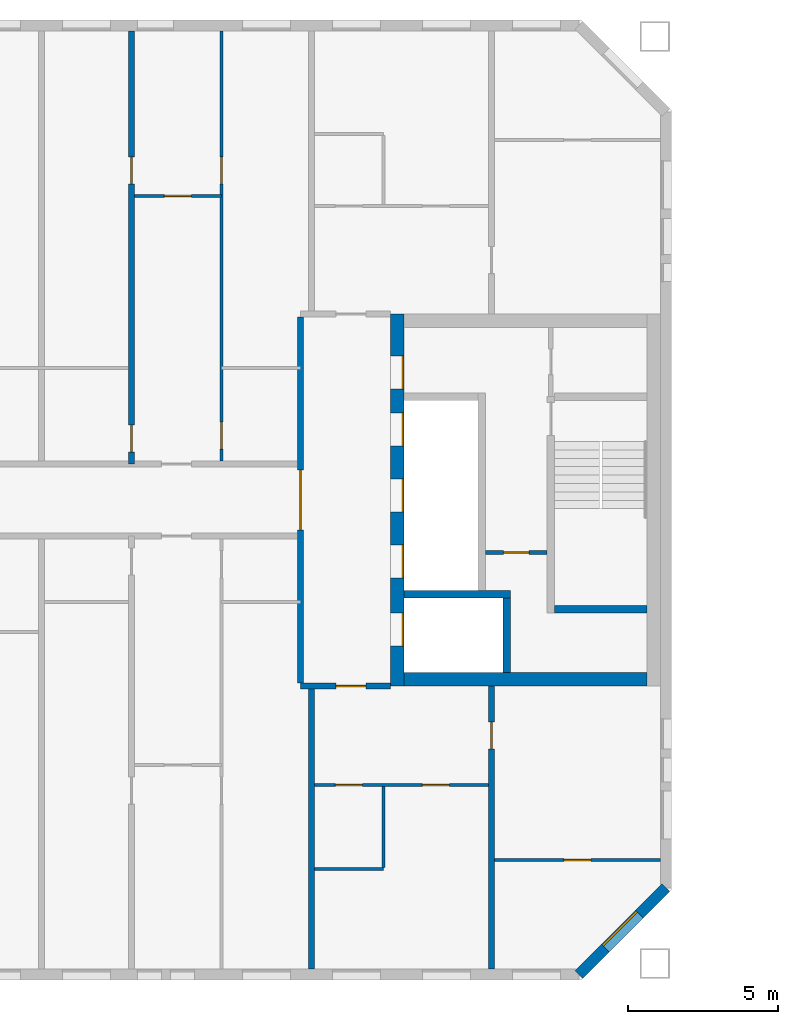
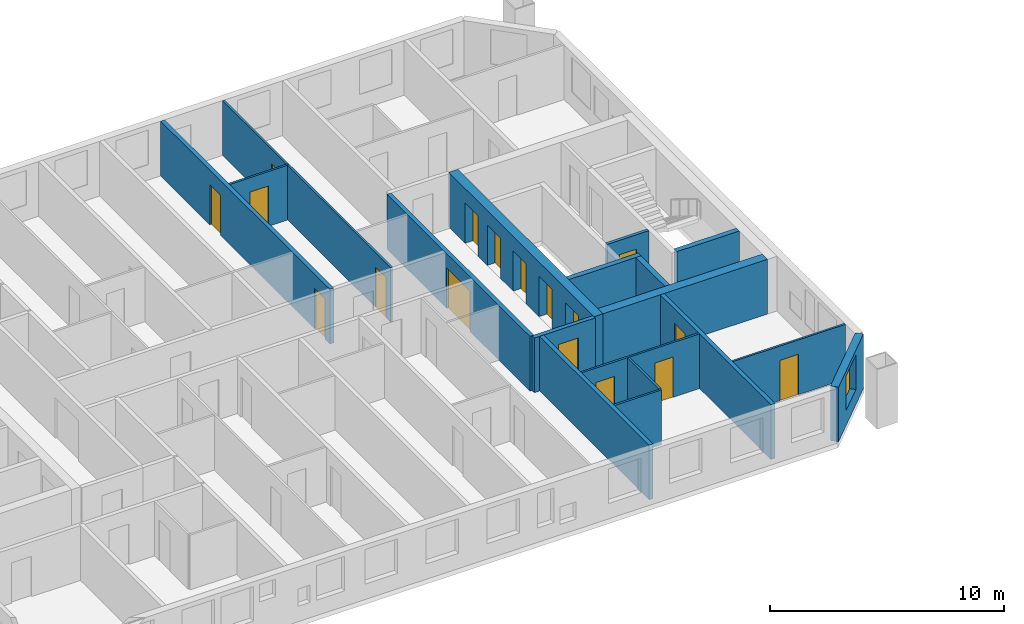
# One storey, part 6 of 15: 18 walls, 17 doors, 1 window, 18 openings.
"""IFC4 building model written with IfcOpenShell, lengths in metres."""

from ifc_helpers import new_model, si_unit, direction, frame, frame_2d, origin, place, context, subcontext, project, spatial, rectangle, extrude, material, layer, layer_set, type_object, element, fill, save


model = new_model("IFC4")

# Units and contexts
model_context = context("Model", 3, precision=1e-05, world=origin(), true_north=direction((0.0, 1.0)))
body_context = subcontext(model_context, "Body", "Model", "MODEL_VIEW")
ifc_project = project(units=[si_unit("LENGTHUNIT", "METRE"), si_unit("AREAUNIT", "SQUARE_METRE"), si_unit("VOLUMEUNIT", "CUBIC_METRE"), si_unit("PLANEANGLEUNIT", "RADIAN"), si_unit("MASSUNIT", "GRAM", prefix="KILO")], contexts=[model_context])

# Site, building, storey
site_placement = place(None, origin())
site = spatial("IfcSite", under=ifc_project, at=site_placement, CompositionType="ELEMENT")
building_placement = place(site_placement, origin())
building = spatial("IfcBuilding", under=site, at=building_placement, Name="Tuart Gate Housing", CompositionType="ELEMENT")
storey_placement = place(building_placement, frame((0.0, 0.0, 185.10009765625)))
storey = spatial("IfcBuildingStorey", under=building, at=storey_placement, Name="L52", CompositionType="ELEMENT", Elevation=185.10009765625)

# Wall, opening, window
ifc_material_1 = material(Name="Brick", Category="masonry")
ifc_layer_1 = layer(ifc_material_1, 0.360107421875)
ifc_layer_set_1 = layer_set([ifc_layer_1], Name="Brick pier and spandrel wall 360")
wall_type_1 = type_object("IfcWallType", Name="Brick pier and spandrel wall 360", PredefinedType="STANDARD", material=ifc_layer_set_1)
wall_1_placement = place(storey_placement, frame((72.92529296875, 54.179931640625, 0.0), z_axis=(0.0, 0.0, 1.0), x_axis=(0.707106781187, 0.707106781187, 0.0)))
wall_1 = element("IfcWall", 1, at=wall_1_placement, inside=storey, type_object=wall_type_1, Name="External wall A-SE L52", PredefinedType="STANDARD", context=body_context, shape_type="SweptSolid", body=[
    extrude(rectangle(XDim=4.09375, YDim=0.360107421875, at=frame_2d((2.046875, 0.0))), origin(), (0.0, 0.0, 1.0), 2.849853515625),
])
opening_1_placement = place(wall_1_placement, frame((1.2470703125, 0.0, 0.800048828125)))
opening_1 = element("IfcOpeningElement", 2, at=opening_1_placement, cuts=wall_1, Name="Opening W1", PredefinedType="OPENING", context=body_context, shape_type="SweptSolid", body=[
    extrude(rectangle(XDim=1.60009765625, YDim=1.800048828125, at=frame_2d((0.800048828125, 0.89990234375))), frame((0.0, 0.18994140625, 0.0), z_axis=(0.0, -1.0, 0.0), x_axis=(1.0, 0.0, 0.0)), (0.0, 0.0, 1.0), 0.380126953125),
])
ifc_material_2 = material(Name="Aluminium frame with clear glass", Category="aluminium")
window_type = type_object("IfcWindowType", Name="Punched window 1600 x 1800", PartitioningType="SINGLE_PANEL", PredefinedType="WINDOW", material=ifc_material_2)
window_placement = place(opening_1_placement, origin())
window = element("IfcWindow", 3, at=window_placement, inside=storey, type_object=window_type, Name="Window W1", OverallHeight=1.800048828125, OverallWidth=1.60009765625, PartitioningType="SINGLE_PANEL", PredefinedType="WINDOW", context=body_context, shape_type="SweptSolid", body=[
    extrude(rectangle(XDim=1.60009765625, YDim=1.800048828125, at=frame_2d((0.800048828125, 0.89990234375))), frame((0.0, 0.150146484375, 0.0), z_axis=(0.0, -1.0, 0.0), x_axis=(1.0, 0.0, 0.0)), (0.0, 0.0, 1.0), 0.06005859375),
])
fill(opening_1, window)

# Wall, opening, door
ifc_material_3 = material(Name="Plasterboard partition")
ifc_layer_2 = layer(ifc_material_3, 0.14990234375)
ifc_layer_set_2 = layer_set([ifc_layer_2], Name="Core partition 150")
wall_type_2 = type_object("IfcWallType", Name="Core partition 150", PredefinedType="PARTITIONING", material=ifc_layer_set_2)
wall_2_placement = place(storey_placement, frame((69.81494140625, 68.25, 0.0), z_axis=(0.0, 0.0, 1.0), x_axis=(1.0, 0.0, 0.0)))
wall_2 = element("IfcWall", 4, at=wall_2_placement, inside=storey, type_object=wall_type_2, Name="Core partition AG.3", PredefinedType="PARTITIONING", context=body_context, shape_type="SweptSolid", body=[
    extrude(rectangle(XDim=2.050048828125, YDim=0.14990234375, at=frame_2d((1.02490234375, 0.0))), origin(), (0.0, 0.0, 1.0), 2.849853515625),
])
opening_2_placement = place(wall_2_placement, frame((0.60009765625, 0.0, 0.0)))
opening_2 = element("IfcOpeningElement", 5, at=opening_2_placement, cuts=wall_2, Name="Opening D1874", PredefinedType="OPENING", context=body_context, shape_type="SweptSolid", body=[
    extrude(rectangle(XDim=0.85009765625, YDim=2.10009765625, at=frame_2d((0.425048828125, 1.050048828125))), frame((0.0, 0.0849609375, 0.0), z_axis=(0.0, -1.0, 0.0), x_axis=(1.0, 0.0, 0.0)), (0.0, 0.0, 1.0), 0.169921875),
])
ifc_material_4 = material(Name="Steel fire door", Category="steel")
door_type_1 = type_object("IfcDoorType", Name="Riser door 850 x 2100 RH", OperationType="SINGLE_SWING_RIGHT", PredefinedType="DOOR", material=ifc_material_4)
door_1_placement = place(opening_2_placement, frame((0.85009765625, 0.0, 0.0), z_axis=(0.0, 0.0, 1.0), x_axis=(-1.0, 0.0, 0.0)))
door_1 = element("IfcDoor", 6, at=door_1_placement, inside=storey, type_object=door_type_1, Name="Service room door AG.E1", OperationType="SINGLE_SWING_RIGHT", OverallHeight=2.10009765625, OverallWidth=0.85009765625, PredefinedType="DOOR", context=body_context, shape_type="SweptSolid", body=[
    extrude(rectangle(XDim=0.85009765625, YDim=2.10009765625, at=frame_2d((0.425048828125, 1.050048828125))), frame((0.0, 0.025146484375, 0.0), z_axis=(0.0, -1.0, 0.0), x_axis=(1.0, 0.0, 0.0)), (0.0, 0.0, 1.0), 0.050048828125),
])
fill(opening_2, door_1)

# Walls
ifc_material_5 = material(Name="Concrete C40", Category="concrete")
ifc_layer_3 = layer(ifc_material_5, 0.25)
ifc_layer_set_3 = layer_set([ifc_layer_3], Name="Core wall 250 C40")
wall_type_3 = type_object("IfcWallType", Name="Core wall 250 C40", PredefinedType="SHEAR", material=ifc_layer_set_3)
wall_3_placement = place(storey_placement, frame((72.114990234375, 66.35009765625, 0.0), z_axis=(0.0, 0.0, 1.0), x_axis=(1.0, 0.0, 0.0)))
element("IfcWall", 7, at=wall_3_placement, inside=storey, type_object=wall_type_3, Name="Core wall AG.1", PredefinedType="SHEAR", context=body_context, shape_type="SweptSolid", body=[
    extrude(rectangle(XDim=3.074951171875, YDim=0.25, at=frame_2d((1.53759765625, 0.0))), origin(), (0.0, 0.0, 1.0), 2.849853515625),
])
wall_4_placement = place(storey_placement, frame((67.090087890625, 66.85009765625, 0.0), z_axis=(0.0, 0.0, 1.0), x_axis=(1.0, 0.0, 0.0)))
element("IfcWall", 8, at=wall_4_placement, inside=storey, type_object=wall_type_3, Name="Core wall AG.2", PredefinedType="SHEAR", context=body_context, shape_type="SweptSolid", body=[
    extrude(rectangle(XDim=3.544921875, YDim=0.25, at=frame_2d((1.7724609375, 0.0))), origin(), (0.0, 0.0, 1.0), 2.849853515625),
])
wall_5_placement = place(storey_placement, frame((70.510009765625, 64.25, 0.0), z_axis=(0.0, 0.0, 1.0), x_axis=(0.0, 1.0, 0.0)))
element("IfcWall", 9, at=wall_5_placement, inside=storey, type_object=wall_type_3, Name="Core wall AG.7", PredefinedType="SHEAR", context=body_context, shape_type="SweptSolid", body=[
    extrude(rectangle(XDim=2.47509765625, YDim=0.25, at=frame_2d((1.237548828125, 0.0))), origin(), (0.0, 0.0, 1.0), 2.849853515625),
])

# Wall, openings, doors
ifc_material_6 = material(Name="Concrete C40", Category="concrete")
ifc_layer_4 = layer(ifc_material_6, 0.449951171875)
ifc_layer_set_4 = layer_set([ifc_layer_4], Name="Core wall 450 C40")
wall_type_4 = type_object("IfcWallType", Name="Core wall 450 C40", PredefinedType="SHEAR", material=ifc_layer_set_4)
wall_6_placement = place(storey_placement, frame((66.864990234375, 63.800048828125, 0.0), z_axis=(0.0, 0.0, 1.0), x_axis=(0.0, 1.0, 0.0)))
wall_6 = element("IfcWall", 10, at=wall_6_placement, inside=storey, type_object=wall_type_4, Name="Core wall AG front", PredefinedType="SHEAR", context=body_context, shape_type="SweptSolid", body=[
    extrude(rectangle(XDim=12.39990234375, YDim=0.449951171875, at=frame_2d((6.199951171875, 0.0))), origin(), (0.0, 0.0, 1.0), 2.849853515625),
])
opening_3_placement = place(wall_6_placement, frame((1.324951171875, 0.0, 0.0)))
opening_3 = element("IfcOpeningElement", 11, at=opening_3_placement, cuts=wall_6, Name="Opening LD-FA1", PredefinedType="OPENING", context=body_context, shape_type="SweptSolid", body=[
    extrude(rectangle(XDim=1.10009765625, YDim=2.10009765625, at=frame_2d((0.550048828125, 1.050048828125))), frame((0.0, 0.23486328125, 0.0), z_axis=(0.0, -1.0, 0.0), x_axis=(1.0, 0.0, 0.0)), (0.0, 0.0, 1.0), 0.469970703125),
])
opening_4_placement = place(wall_6_placement, frame((3.60009765625, 0.0, 0.0)))
opening_4 = element("IfcOpeningElement", 12, at=opening_4_placement, cuts=wall_6, Name="Opening LD-LA1", PredefinedType="OPENING", context=body_context, shape_type="SweptSolid", body=[
    extrude(rectangle(XDim=1.10009765625, YDim=2.10009765625, at=frame_2d((0.550048828125, 1.050048828125))), frame((0.0, 0.23486328125, 0.0), z_axis=(0.0, -1.0, 0.0), x_axis=(1.0, 0.0, 0.0)), (0.0, 0.0, 1.0), 0.469970703125),
])
opening_5_placement = place(wall_6_placement, frame((5.800048828125, 0.0, 0.0)))
opening_5 = element("IfcOpeningElement", 13, at=opening_5_placement, cuts=wall_6, Name="Opening LD-LA2", PredefinedType="OPENING", context=body_context, shape_type="SweptSolid", body=[
    extrude(rectangle(XDim=1.10009765625, YDim=2.10009765625, at=frame_2d((0.550048828125, 1.050048828125))), frame((0.0, 0.23486328125, 0.0), z_axis=(0.0, -1.0, 0.0), x_axis=(1.0, 0.0, 0.0)), (0.0, 0.0, 1.0), 0.469970703125),
])
opening_6_placement = place(wall_6_placement, frame((8.0, 0.0, 0.0)))
opening_6 = element("IfcOpeningElement", 14, at=opening_6_placement, cuts=wall_6, Name="Opening LD-LA3", PredefinedType="OPENING", context=body_context, shape_type="SweptSolid", body=[
    extrude(rectangle(XDim=1.10009765625, YDim=2.10009765625, at=frame_2d((0.550048828125, 1.050048828125))), frame((0.0, 0.23486328125, 0.0), z_axis=(0.0, -1.0, 0.0), x_axis=(1.0, 0.0, 0.0)), (0.0, 0.0, 1.0), 0.469970703125),
])
opening_7_placement = place(wall_6_placement, frame((9.89990234375, 0.0, 0.0)))
opening_7 = element("IfcOpeningElement", 15, at=opening_7_placement, cuts=wall_6, Name="Opening D1870", PredefinedType="OPENING", context=body_context, shape_type="SweptSolid", body=[
    extrude(rectangle(XDim=1.10009765625, YDim=2.10009765625, at=frame_2d((0.550048828125, 1.050048828125))), frame((0.0, 0.23486328125, 0.0), z_axis=(0.0, -1.0, 0.0), x_axis=(1.0, 0.0, 0.0)), (0.0, 0.0, 1.0), 0.469970703125),
])
ifc_material_7 = material(Name="Stainless steel", Category="steel")
door_type_2 = type_object("IfcDoorType", Name="Landing door 1100 x 2100", OperationType="DOUBLE_DOOR_SLIDING", PredefinedType="DOOR", material=ifc_material_7)
door_2_placement = place(opening_3_placement, origin())
door_2 = element("IfcDoor", 16, at=door_2_placement, inside=storey, type_object=door_type_2, Name="Lift landing door FA1", OperationType="DOUBLE_DOOR_SLIDING", OverallHeight=2.10009765625, OverallWidth=1.10009765625, PredefinedType="DOOR", context=body_context, shape_type="SweptSolid", body=[
    extrude(rectangle(XDim=1.10009765625, YDim=2.10009765625, at=frame_2d((0.550048828125, 1.050048828125))), frame((0.0, -0.16015625, 0.0), z_axis=(0.0, -1.0, 0.0), x_axis=(1.0, 0.0, 0.0)), (0.0, 0.0, 1.0), 0.050048828125),
])
fill(opening_3, door_2)
door_3_placement = place(opening_4_placement, origin())
door_3 = element("IfcDoor", 17, at=door_3_placement, inside=storey, type_object=door_type_2, Name="Lift landing door LA1", OperationType="DOUBLE_DOOR_SLIDING", OverallHeight=2.10009765625, OverallWidth=1.10009765625, PredefinedType="DOOR", context=body_context, shape_type="SweptSolid", body=[
    extrude(rectangle(XDim=1.10009765625, YDim=2.10009765625, at=frame_2d((0.550048828125, 1.050048828125))), frame((0.0, -0.16015625, 0.0), z_axis=(0.0, -1.0, 0.0), x_axis=(1.0, 0.0, 0.0)), (0.0, 0.0, 1.0), 0.050048828125),
])
fill(opening_4, door_3)
door_4_placement = place(opening_5_placement, origin())
door_4 = element("IfcDoor", 18, at=door_4_placement, inside=storey, type_object=door_type_2, Name="Lift landing door LA2", OperationType="DOUBLE_DOOR_SLIDING", OverallHeight=2.10009765625, OverallWidth=1.10009765625, PredefinedType="DOOR", context=body_context, shape_type="SweptSolid", body=[
    extrude(rectangle(XDim=1.10009765625, YDim=2.10009765625, at=frame_2d((0.550048828125, 1.050048828125))), frame((0.0, -0.16015625, 0.0), z_axis=(0.0, -1.0, 0.0), x_axis=(1.0, 0.0, 0.0)), (0.0, 0.0, 1.0), 0.050048828125),
])
fill(opening_5, door_4)
door_5_placement = place(opening_6_placement, origin())
door_5 = element("IfcDoor", 19, at=door_5_placement, inside=storey, type_object=door_type_2, Name="Lift landing door LA3", OperationType="DOUBLE_DOOR_SLIDING", OverallHeight=2.10009765625, OverallWidth=1.10009765625, PredefinedType="DOOR", context=body_context, shape_type="SweptSolid", body=[
    extrude(rectangle(XDim=1.10009765625, YDim=2.10009765625, at=frame_2d((0.550048828125, 1.050048828125))), frame((0.0, -0.16015625, 0.0), z_axis=(0.0, -1.0, 0.0), x_axis=(1.0, 0.0, 0.0)), (0.0, 0.0, 1.0), 0.050048828125),
])
fill(opening_6, door_5)
ifc_material_8 = material(Name="Steel fire door", Category="steel")
door_type_3 = type_object("IfcDoorType", Name="Lobby door 1100 x 2100 RH", OperationType="SINGLE_SWING_RIGHT", PredefinedType="DOOR", material=ifc_material_8)
door_6_placement = place(opening_7_placement, frame((1.10009765625, 0.0, 0.0), z_axis=(0.0, 0.0, 1.0), x_axis=(-1.0, 0.0, 0.0)))
door_6 = element("IfcDoor", 20, at=door_6_placement, inside=storey, type_object=door_type_3, Name="Lobby entry door AG.EN", OperationType="SINGLE_SWING_RIGHT", OverallHeight=2.10009765625, OverallWidth=1.10009765625, PredefinedType="DOOR", context=body_context, shape_type="SweptSolid", body=[
    extrude(rectangle(XDim=1.10009765625, YDim=2.10009765625, at=frame_2d((0.550048828125, 1.050048828125))), frame((0.0, 0.210205078125, 0.0), z_axis=(0.0, -1.0, 0.0), x_axis=(1.0, 0.0, 0.0)), (0.0, 0.0, 1.0), 0.050048828125),
])
fill(opening_7, door_6)

# Wall
wall_7_placement = place(storey_placement, frame((67.090087890625, 64.02490234375, 0.0), z_axis=(0.0, 0.0, 1.0), x_axis=(1.0, 0.0, 0.0)))
element("IfcWall", 21, at=wall_7_placement, inside=storey, type_object=wall_type_4, Name="Core wall AG south", PredefinedType="SHEAR", context=body_context, shape_type="SweptSolid", body=[
    extrude(rectangle(XDim=8.099853515625, YDim=0.449951171875, at=frame_2d((4.0498046875, 0.0))), origin(), (0.0, 0.0, 1.0), 2.849853515625),
])

# Wall, opening, door
ifc_material_9 = material(Name="Concrete masonry 15 MPa", Category="masonry")
ifc_layer_5 = layer(ifc_material_9, 0.199951171875)
ifc_layer_set_5 = layer_set([ifc_layer_5], Name="Enclosure wall masonry 200")
wall_type_5 = type_object("IfcWallType", Name="Enclosure wall masonry 200", PredefinedType="PARTITIONING", material=ifc_layer_set_5)
wall_8_placement = place(storey_placement, frame((63.639892578125, 63.800048828125, 0.0), z_axis=(0.0, 0.0, 1.0), x_axis=(1.0, 0.0, 0.0)))
wall_8 = element("IfcWall", 22, at=wall_8_placement, inside=storey, type_object=wall_type_5, Name="Enclosure wall masonry 200", PredefinedType="PARTITIONING", context=body_context, shape_type="SweptSolid", body=[
    extrude(rectangle(XDim=3.0, YDim=0.199951171875, at=frame_2d((1.5, 0.0))), origin(), (0.0, 0.0, 1.0), 2.849853515625),
])
opening_8_placement = place(wall_8_placement, frame((1.179931640625, 0.0, 0.0)))
opening_8 = element("IfcOpeningElement", 23, at=opening_8_placement, cuts=wall_8, Name="Opening D1877", PredefinedType="OPENING", context=body_context, shape_type="SweptSolid", body=[
    extrude(rectangle(XDim=1.0, YDim=2.10009765625, at=frame_2d((0.5, 1.050048828125))), frame((0.0, 0.10986328125, 0.0), z_axis=(0.0, -1.0, 0.0), x_axis=(1.0, 0.0, 0.0)), (0.0, 0.0, 1.0), 0.219970703125),
])
ifc_material_10 = material(Name="Timber door leaf in steel frame", Category="steel")
door_type_4 = type_object("IfcDoorType", Name="Flat entrance door 1000 RH", OperationType="SINGLE_SWING_RIGHT", PredefinedType="DOOR", material=ifc_material_10)
door_7_placement = place(opening_8_placement, frame((1.0, 0.0, 0.0), z_axis=(0.0, 0.0, 1.0), x_axis=(-1.0, 0.0, 0.0)))
door_7 = element("IfcDoor", 24, at=door_7_placement, inside=storey, type_object=door_type_4, Name="Flat entrance door", OperationType="SINGLE_SWING_RIGHT", OverallHeight=2.10009765625, OverallWidth=1.0, PredefinedType="DOOR", context=body_context, shape_type="SweptSolid", body=[
    extrude(rectangle(XDim=1.0, YDim=2.10009765625, at=frame_2d((0.5, 1.050048828125))), frame((0.0, 0.025146484375, 0.0), z_axis=(0.0, -1.0, 0.0), x_axis=(1.0, 0.0, 0.0)), (0.0, 0.0, 1.0), 0.050048828125),
])
fill(opening_8, door_7)

ifc_material_11 = material(Name="Plasterboard partition")
ifc_layer_6 = layer(ifc_material_11, 0.199951171875)
ifc_layer_set_6 = layer_set([ifc_layer_6], Name="Lobby wall 200")
wall_type_6 = type_object("IfcWallType", Name="Lobby wall 200", PredefinedType="PARTITIONING", material=ifc_layer_set_6)
wall_9_placement = place(storey_placement, frame((63.639892578125, 63.89990234375, 0.0), z_axis=(0.0, 0.0, 1.0), x_axis=(0.0, 1.0, 0.0)))
wall_9 = element("IfcWall", 25, at=wall_9_placement, inside=storey, type_object=wall_type_6, Name="Lift lobby wall AG", PredefinedType="PARTITIONING", context=body_context, shape_type="SweptSolid", body=[
    extrude(rectangle(XDim=12.2001953125, YDim=0.199951171875, at=frame_2d((6.10009765625, 0.0))), origin(), (0.0, 0.0, 1.0), 2.849853515625),
])
opening_9_placement = place(wall_9_placement, frame((5.10009765625, 0.0, 0.0)))
opening_9 = element("IfcOpeningElement", 26, at=opening_9_placement, cuts=wall_9, Name="Opening D1869", PredefinedType="OPENING", context=body_context, shape_type="SweptSolid", body=[
    extrude(rectangle(XDim=2.0, YDim=2.10009765625, at=frame_2d((1.0, 1.050048828125))), frame((0.0, 0.10986328125, 0.0), z_axis=(0.0, -1.0, 0.0), x_axis=(1.0, 0.0, 0.0)), (0.0, 0.0, 1.0), 0.219970703125),
])
ifc_material_12 = material(Name="Steel fire door", Category="steel")
door_type_5 = type_object("IfcDoorType", Name="Smoke door 2000 x 2100", OperationType="DOUBLE_DOOR_SINGLE_SWING", PredefinedType="DOOR", material=ifc_material_12)
door_8_placement = place(opening_9_placement, frame((2.0, 0.0, 0.0), z_axis=(0.0, 0.0, 1.0), x_axis=(-1.0, 0.0, 0.0)))
door_8 = element("IfcDoor", 27, at=door_8_placement, inside=storey, type_object=door_type_5, Name="Lift lobby smoke door AG", OperationType="DOUBLE_DOOR_SINGLE_SWING", OverallHeight=2.10009765625, OverallWidth=2.0, PredefinedType="DOOR", context=body_context, shape_type="SweptSolid", body=[
    extrude(rectangle(XDim=2.0, YDim=2.10009765625, at=frame_2d((1.0, 1.050048828125))), frame((0.0, 0.025146484375, 0.0), z_axis=(0.0, -1.0, 0.0), x_axis=(1.0, 0.0, 0.0)), (0.0, 0.0, 1.0), 0.050048828125),
])
fill(opening_9, door_8)

# Wall
ifc_material_13 = material(Name="Gypsum board on steel studs", Category="steel")
ifc_layer_7 = layer(ifc_material_13, 0.10009765625)
ifc_layer_set_7 = layer_set([ifc_layer_7], Name="Partition 100")
wall_type_7 = type_object("IfcWallType", Name="Partition 100", PredefinedType="PARTITIONING", material=ifc_layer_set_7)
wall_10_placement = place(storey_placement, frame((64.10009765625, 57.699951171875, 0.0), z_axis=(0.0, 0.0, 1.0), x_axis=(1.0, 0.0, 0.0)))
element("IfcWall", 28, at=wall_10_placement, inside=storey, type_object=wall_type_7, Name="Partition 100", PredefinedType="PARTITIONING", context=body_context, shape_type="SweptSolid", body=[
    extrude(rectangle(XDim=2.2998046875, YDim=0.10009765625, at=frame_2d((1.14990234375, 0.0))), origin(), (0.0, 0.0, 1.0), 2.849853515625),
])

# Wall, opening, door
wall_11_placement = place(storey_placement, frame((70.10009765625, 58.0, 0.0), z_axis=(0.0, 0.0, 1.0), x_axis=(1.0, 0.0, 0.0)))
wall_11 = element("IfcWall", 29, at=wall_11_placement, inside=storey, type_object=wall_type_7, Name="Partition 100", PredefinedType="PARTITIONING", context=body_context, shape_type="SweptSolid", body=[
    extrude(rectangle(XDim=5.539794921875, YDim=0.10009765625, at=frame_2d((2.77001953125, 0.0))), origin(), (0.0, 0.0, 1.0), 2.849853515625),
])
opening_10_placement = place(wall_11_placement, frame((2.320068359375, 0.0, 0.0)))
opening_10 = element("IfcOpeningElement", 30, at=opening_10_placement, cuts=wall_11, Name="Opening D1894", PredefinedType="OPENING", context=body_context, shape_type="SweptSolid", body=[
    extrude(rectangle(XDim=0.89990234375, YDim=2.10009765625, at=frame_2d((0.449951171875, 1.050048828125))), frame((0.0, 0.06005859375, 0.0), z_axis=(0.0, -1.0, 0.0), x_axis=(1.0, 0.0, 0.0)), (0.0, 0.0, 1.0), 0.1201171875),
])
ifc_material_14 = material(Name="Timber door leaf in steel frame", Category="steel")
door_type_6 = type_object("IfcDoorType", Name="Internal door 900", OperationType="SINGLE_SWING_LEFT", PredefinedType="DOOR", material=ifc_material_14)
door_9_placement = place(opening_10_placement, frame((0.89990234375, 0.0, 0.0), z_axis=(0.0, 0.0, 1.0), x_axis=(-1.0, 0.0, 0.0)))
door_9 = element("IfcDoor", 31, at=door_9_placement, inside=storey, type_object=door_type_6, Name="Internal door", OperationType="SINGLE_SWING_LEFT", OverallHeight=2.10009765625, OverallWidth=0.89990234375, PredefinedType="DOOR", context=body_context, shape_type="SweptSolid", body=[
    extrude(rectangle(XDim=0.89990234375, YDim=2.10009765625, at=frame_2d((0.449951171875, 1.050048828125))), frame((0.0, 0.025146484375, 0.0), z_axis=(0.0, -1.0, 0.0), x_axis=(1.0, 0.0, 0.0)), (0.0, 0.0, 1.0), 0.050048828125),
])
fill(opening_10, door_9)

# Wall, openings, doors
wall_12_placement = place(storey_placement, frame((64.10009765625, 60.5, 0.0), z_axis=(0.0, 0.0, 1.0), x_axis=(1.0, 0.0, 0.0)))
wall_12 = element("IfcWall", 32, at=wall_12_placement, inside=storey, type_object=wall_type_7, Name="Partition 100", PredefinedType="PARTITIONING", context=body_context, shape_type="SweptSolid", body=[
    extrude(rectangle(XDim=5.7998046875, YDim=0.10009765625, at=frame_2d((2.89990234375, 0.0))), origin(), (0.0, 0.0, 1.0), 2.849853515625),
])
opening_11_placement = place(wall_12_placement, frame((3.60009765625, 0.0, 0.0)))
opening_11 = element("IfcOpeningElement", 33, at=opening_11_placement, cuts=wall_12, Name="Opening D1891", PredefinedType="OPENING", context=body_context, shape_type="SweptSolid", body=[
    extrude(rectangle(XDim=0.89990234375, YDim=2.10009765625, at=frame_2d((0.449951171875, 1.050048828125))), frame((0.0, 0.06005859375, 0.0), z_axis=(0.0, -1.0, 0.0), x_axis=(1.0, 0.0, 0.0)), (0.0, 0.0, 1.0), 0.1201171875),
])
opening_12_placement = place(wall_12_placement, frame((0.699951171875, 0.0, 0.0)))
opening_12 = element("IfcOpeningElement", 34, at=opening_12_placement, cuts=wall_12, Name="Opening D1890", PredefinedType="OPENING", context=body_context, shape_type="SweptSolid", body=[
    extrude(rectangle(XDim=0.89990234375, YDim=2.10009765625, at=frame_2d((0.449951171875, 1.050048828125))), frame((0.0, 0.06005859375, 0.0), z_axis=(0.0, -1.0, 0.0), x_axis=(1.0, 0.0, 0.0)), (0.0, 0.0, 1.0), 0.1201171875),
])
ifc_material_15 = material(Name="Timber door leaf in steel frame", Category="steel")
door_type_7 = type_object("IfcDoorType", Name="Bathroom door 900", OperationType="SINGLE_SWING_LEFT", PredefinedType="DOOR", material=ifc_material_15)
door_10_placement = place(opening_12_placement, frame((0.89990234375, 0.0, 0.0), z_axis=(0.0, 0.0, 1.0), x_axis=(-1.0, 0.0, 0.0)))
door_10 = element("IfcDoor", 35, at=door_10_placement, inside=storey, type_object=door_type_7, Name="Bathroom door", OperationType="SINGLE_SWING_LEFT", OverallHeight=2.10009765625, OverallWidth=0.89990234375, PredefinedType="DOOR", context=body_context, shape_type="SweptSolid", body=[
    extrude(rectangle(XDim=0.89990234375, YDim=2.10009765625, at=frame_2d((0.449951171875, 1.050048828125))), frame((0.0, 0.025146484375, 0.0), z_axis=(0.0, -1.0, 0.0), x_axis=(1.0, 0.0, 0.0)), (0.0, 0.0, 1.0), 0.050048828125),
])
fill(opening_12, door_10)
ifc_material_16 = material(Name="Timber door leaf in steel frame", Category="steel")
door_type_8 = type_object("IfcDoorType", Name="Internal door 900 RH", OperationType="SINGLE_SWING_RIGHT", PredefinedType="DOOR", material=ifc_material_16)
door_11_placement = place(opening_11_placement, frame((0.89990234375, 0.0, 0.0), z_axis=(0.0, 0.0, 1.0), x_axis=(-1.0, 0.0, 0.0)))
door_11 = element("IfcDoor", 36, at=door_11_placement, inside=storey, type_object=door_type_8, Name="Internal door", OperationType="SINGLE_SWING_RIGHT", OverallHeight=2.10009765625, OverallWidth=0.89990234375, PredefinedType="DOOR", context=body_context, shape_type="SweptSolid", body=[
    extrude(rectangle(XDim=0.89990234375, YDim=2.10009765625, at=frame_2d((0.449951171875, 1.050048828125))), frame((0.0, 0.025146484375, 0.0), z_axis=(0.0, -1.0, 0.0), x_axis=(1.0, 0.0, 0.0)), (0.0, 0.0, 1.0), 0.050048828125),
])
fill(opening_11, door_11)

# Wall, opening, door
wall_13_placement = place(storey_placement, frame((58.10009765625, 80.139892578125, 0.0), z_axis=(0.0, 0.0, 1.0), x_axis=(1.0, 0.0, 0.0)))
wall_13 = element("IfcWall", 37, at=wall_13_placement, inside=storey, type_object=wall_type_7, Name="Partition 100", PredefinedType="PARTITIONING", context=body_context, shape_type="SweptSolid", body=[
    extrude(rectangle(XDim=2.89990234375, YDim=0.10009765625, at=frame_2d((1.449951171875, 0.0))), origin(), (0.0, 0.0, 1.0), 2.849853515625),
])
opening_13_placement = place(wall_13_placement, frame((1.0, 0.0, 0.0)))
opening_13 = element("IfcOpeningElement", 38, at=opening_13_placement, cuts=wall_13, Name="Opening D1845", PredefinedType="OPENING", context=body_context, shape_type="SweptSolid", body=[
    extrude(rectangle(XDim=0.89990234375, YDim=2.10009765625, at=frame_2d((0.449951171875, 1.050048828125))), frame((0.0, 0.06005859375, 0.0), z_axis=(0.0, -1.0, 0.0), x_axis=(1.0, 0.0, 0.0)), (0.0, 0.0, 1.0), 0.1201171875),
])
door_12_placement = place(opening_13_placement, frame((0.89990234375, 0.0, 0.0), z_axis=(0.0, 0.0, 1.0), x_axis=(-1.0, 0.0, 0.0)))
door_12 = element("IfcDoor", 39, at=door_12_placement, inside=storey, type_object=door_type_6, Name="Internal door", OperationType="SINGLE_SWING_LEFT", OverallHeight=2.10009765625, OverallWidth=0.89990234375, PredefinedType="DOOR", context=body_context, shape_type="SweptSolid", body=[
    extrude(rectangle(XDim=0.89990234375, YDim=2.10009765625, at=frame_2d((0.449951171875, 1.050048828125))), frame((0.0, 0.025146484375, 0.0), z_axis=(0.0, -1.0, 0.0), x_axis=(1.0, 0.0, 0.0)), (0.0, 0.0, 1.0), 0.050048828125),
])
fill(opening_13, door_12)

# Wall, openings, doors
wall_14_placement = place(storey_placement, frame((61.0, 71.300048828125, 0.0), z_axis=(0.0, 0.0, 1.0), x_axis=(0.0, 1.0, 0.0)))
wall_14 = element("IfcWall", 40, at=wall_14_placement, inside=storey, type_object=wall_type_7, Name="Partition 100", PredefinedType="PARTITIONING", context=body_context, shape_type="SweptSolid", body=[
    extrude(rectangle(XDim=14.33984375, YDim=0.10009765625, at=frame_2d((7.169921875, 0.0))), origin(), (0.0, 0.0, 1.0), 2.849853515625),
])
opening_14_placement = place(wall_14_placement, frame((9.239990234375, 0.0, 0.0)))
opening_14 = element("IfcOpeningElement", 41, at=opening_14_placement, cuts=wall_14, Name="Opening D1853", PredefinedType="OPENING", context=body_context, shape_type="SweptSolid", body=[
    extrude(rectangle(XDim=0.89990234375, YDim=2.10009765625, at=frame_2d((0.449951171875, 1.050048828125))), frame((0.0, 0.06005859375, 0.0), z_axis=(0.0, -1.0, 0.0), x_axis=(1.0, 0.0, 0.0)), (0.0, 0.0, 1.0), 0.1201171875),
])
opening_15_placement = place(wall_14_placement, frame((0.39990234375, 0.0, 0.0)))
opening_15 = element("IfcOpeningElement", 42, at=opening_15_placement, cuts=wall_14, Name="Opening D1852", PredefinedType="OPENING", context=body_context, shape_type="SweptSolid", body=[
    extrude(rectangle(XDim=0.89990234375, YDim=2.10009765625, at=frame_2d((0.449951171875, 1.050048828125))), frame((0.0, 0.06005859375, 0.0), z_axis=(0.0, -1.0, 0.0), x_axis=(1.0, 0.0, 0.0)), (0.0, 0.0, 1.0), 0.1201171875),
])
ifc_material_17 = material(Name="Timber door leaf in steel frame", Category="steel")
door_type_9 = type_object("IfcDoorType", Name="Bathroom door 900 RH", OperationType="SINGLE_SWING_RIGHT", PredefinedType="DOOR", material=ifc_material_17)
door_13_placement = place(opening_15_placement, frame((0.89990234375, 0.0, 0.0), z_axis=(0.0, 0.0, 1.0), x_axis=(-1.0, 0.0, 0.0)))
door_13 = element("IfcDoor", 43, at=door_13_placement, inside=storey, type_object=door_type_9, Name="Bathroom door", OperationType="SINGLE_SWING_RIGHT", OverallHeight=2.10009765625, OverallWidth=0.89990234375, PredefinedType="DOOR", context=body_context, shape_type="SweptSolid", body=[
    extrude(rectangle(XDim=0.89990234375, YDim=2.10009765625, at=frame_2d((0.449951171875, 1.050048828125))), frame((0.0, 0.025146484375, 0.0), z_axis=(0.0, -1.0, 0.0), x_axis=(1.0, 0.0, 0.0)), (0.0, 0.0, 1.0), 0.050048828125),
])
fill(opening_15, door_13)
door_14_placement = place(opening_14_placement, frame((0.89990234375, 0.0, 0.0), z_axis=(0.0, 0.0, 1.0), x_axis=(-1.0, 0.0, 0.0)))
door_14 = element("IfcDoor", 44, at=door_14_placement, inside=storey, type_object=door_type_6, Name="Internal door", OperationType="SINGLE_SWING_LEFT", OverallHeight=2.10009765625, OverallWidth=0.89990234375, PredefinedType="DOOR", context=body_context, shape_type="SweptSolid", body=[
    extrude(rectangle(XDim=0.89990234375, YDim=2.10009765625, at=frame_2d((0.449951171875, 1.050048828125))), frame((0.0, 0.025146484375, 0.0), z_axis=(0.0, -1.0, 0.0), x_axis=(1.0, 0.0, 0.0)), (0.0, 0.0, 1.0), 0.050048828125),
])
fill(opening_14, door_14)

# Wall
wall_15_placement = place(storey_placement, frame((66.39990234375, 57.75, 0.0), z_axis=(0.0, 0.0, 1.0), x_axis=(0.0, 1.0, 0.0)))
element("IfcWall", 45, at=wall_15_placement, inside=storey, type_object=wall_type_7, Name="Partition 100", PredefinedType="PARTITIONING", context=body_context, shape_type="SweptSolid", body=[
    extrude(rectangle(XDim=2.699951171875, YDim=0.10009765625, at=frame_2d((1.35009765625, 0.0))), origin(), (0.0, 0.0, 1.0), 2.849853515625),
])

# Wall, openings, doors
ifc_material_18 = material(Name="Concrete C40", Category="concrete")
ifc_layer_8 = layer(ifc_material_18, 0.199951171875)
ifc_layer_set_8 = layer_set([ifc_layer_8], Name="Party wall concrete C40 200")
wall_type_8 = type_object("IfcWallType", Name="Party wall concrete C40 200", PredefinedType="SOLIDWALL", material=ifc_layer_set_8)
wall_16_placement = place(storey_placement, frame((58.0, 71.199951171875, 0.0), z_axis=(0.0, 0.0, 1.0), x_axis=(0.0, 1.0, 0.0)))
wall_16 = element("IfcWall", 46, at=wall_16_placement, inside=storey, type_object=wall_type_8, Name="Party wall concrete C40 200", PredefinedType="SOLIDWALL", context=body_context, shape_type="SweptSolid", body=[
    extrude(rectangle(XDim=14.43994140625, YDim=0.199951171875, at=frame_2d((7.219970703125, 0.0))), origin(), (0.0, 0.0, 1.0), 2.849853515625),
])
opening_16_placement = place(wall_16_placement, frame((9.340087890625, 0.0, 0.0)))
opening_16 = element("IfcOpeningElement", 47, at=opening_16_placement, cuts=wall_16, Name="Opening D1857", PredefinedType="OPENING", context=body_context, shape_type="SweptSolid", body=[
    extrude(rectangle(XDim=0.89990234375, YDim=2.10009765625, at=frame_2d((0.449951171875, 1.050048828125))), frame((0.0, 0.10986328125, 0.0), z_axis=(0.0, -1.0, 0.0), x_axis=(1.0, 0.0, 0.0)), (0.0, 0.0, 1.0), 0.219970703125),
])
opening_17_placement = place(wall_16_placement, frame((0.39990234375, 0.0, 0.0)))
opening_17 = element("IfcOpeningElement", 48, at=opening_17_placement, cuts=wall_16, Name="Opening D1856", PredefinedType="OPENING", context=body_context, shape_type="SweptSolid", body=[
    extrude(rectangle(XDim=0.89990234375, YDim=2.10009765625, at=frame_2d((0.449951171875, 1.050048828125))), frame((0.0, 0.10986328125, 0.0), z_axis=(0.0, -1.0, 0.0), x_axis=(1.0, 0.0, 0.0)), (0.0, 0.0, 1.0), 0.219970703125),
])
door_15_placement = place(opening_17_placement, origin())
door_15 = element("IfcDoor", 49, at=door_15_placement, inside=storey, type_object=door_type_7, Name="Bathroom door", OperationType="SINGLE_SWING_LEFT", OverallHeight=2.10009765625, OverallWidth=0.89990234375, PredefinedType="DOOR", context=body_context, shape_type="SweptSolid", body=[
    extrude(rectangle(XDim=0.89990234375, YDim=2.10009765625, at=frame_2d((0.449951171875, 1.050048828125))), frame((0.0, 0.02490234375, 0.0), z_axis=(0.0, -1.0, 0.0), x_axis=(1.0, 0.0, 0.0)), (0.0, 0.0, 1.0), 0.050048828125),
])
fill(opening_17, door_15)
door_16_placement = place(opening_16_placement, origin())
door_16 = element("IfcDoor", 50, at=door_16_placement, inside=storey, type_object=door_type_8, Name="Internal door", OperationType="SINGLE_SWING_RIGHT", OverallHeight=2.10009765625, OverallWidth=0.89990234375, PredefinedType="DOOR", context=body_context, shape_type="SweptSolid", body=[
    extrude(rectangle(XDim=0.89990234375, YDim=2.10009765625, at=frame_2d((0.449951171875, 1.050048828125))), frame((0.0, 0.02490234375, 0.0), z_axis=(0.0, -1.0, 0.0), x_axis=(1.0, 0.0, 0.0)), (0.0, 0.0, 1.0), 0.050048828125),
])
fill(opening_16, door_16)

# Wall
wall_17_placement = place(storey_placement, frame((64.0, 54.360107421875, 0.0), z_axis=(0.0, 0.0, 1.0), x_axis=(0.0, 1.0, 0.0)))
element("IfcWall", 51, at=wall_17_placement, inside=storey, type_object=wall_type_8, Name="Party wall concrete C40 200", PredefinedType="SOLIDWALL", context=body_context, shape_type="SweptSolid", body=[
    extrude(rectangle(XDim=9.43994140625, YDim=0.199951171875, at=frame_2d((4.719970703125, 0.0))), origin(), (0.0, 0.0, 1.0), 2.849853515625),
])

# Wall, opening, door
wall_18_placement = place(storey_placement, frame((70.0, 54.360107421875, 0.0), z_axis=(0.0, 0.0, 1.0), x_axis=(0.0, 1.0, 0.0)))
wall_18 = element("IfcWall", 52, at=wall_18_placement, inside=storey, type_object=wall_type_8, Name="Party wall concrete C40 200", PredefinedType="SOLIDWALL", context=body_context, shape_type="SweptSolid", body=[
    extrude(rectangle(XDim=9.43994140625, YDim=0.199951171875, at=frame_2d((4.719970703125, 0.0))), origin(), (0.0, 0.0, 1.0), 2.849853515625),
])
opening_18_placement = place(wall_18_placement, frame((7.340087890625, 0.0, 0.0)))
opening_18 = element("IfcOpeningElement", 53, at=opening_18_placement, cuts=wall_18, Name="Opening D1893", PredefinedType="OPENING", context=body_context, shape_type="SweptSolid", body=[
    extrude(rectangle(XDim=0.89990234375, YDim=2.10009765625, at=frame_2d((0.449951171875, 1.050048828125))), frame((0.0, 0.10986328125, 0.0), z_axis=(0.0, -1.0, 0.0), x_axis=(1.0, 0.0, 0.0)), (0.0, 0.0, 1.0), 0.219970703125),
])
door_17_placement = place(opening_18_placement, origin())
door_17 = element("IfcDoor", 54, at=door_17_placement, inside=storey, type_object=door_type_6, Name="Internal door", OperationType="SINGLE_SWING_LEFT", OverallHeight=2.10009765625, OverallWidth=0.89990234375, PredefinedType="DOOR", context=body_context, shape_type="SweptSolid", body=[
    extrude(rectangle(XDim=0.89990234375, YDim=2.10009765625, at=frame_2d((0.449951171875, 1.050048828125))), frame((0.0, 0.02490234375, 0.0), z_axis=(0.0, -1.0, 0.0), x_axis=(1.0, 0.0, 0.0)), (0.0, 0.0, 1.0), 0.050048828125),
])
fill(opening_18, door_17)

save(model, "model.ifc")
